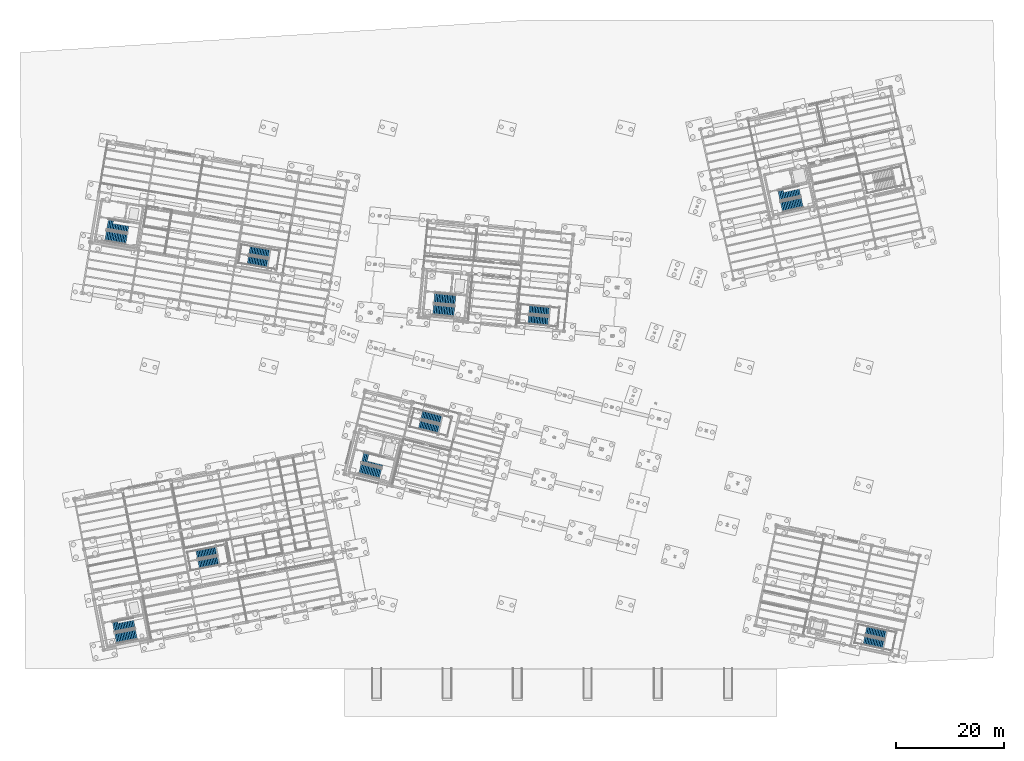
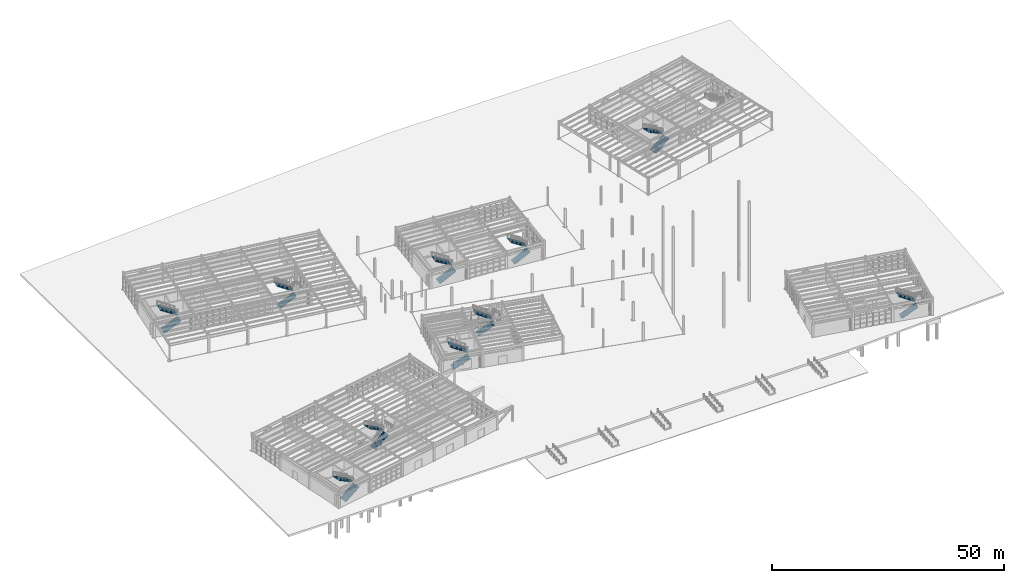
# One storey, part 90 of 108: 20 stair flights, 10 elements without a shape of their own.
"""IFC4 building model written with IfcOpenShell, lengths in metres."""

from ifc_helpers import new_model, si_unit, direction, frame, origin, place, context, subcontext, project, spatial, polyline, outline, extrude, material, type_object, element, aggregate, save


model = new_model("IFC4")

# Units and contexts
model_context = context("Model", 3, precision=1e-05, world=origin(), true_north=direction((0.0, 1.0)))
body_context = subcontext(model_context, "Body", "Model", "MODEL_VIEW")
ifc_project = project(units=[si_unit("LENGTHUNIT", "METRE"), si_unit("AREAUNIT", "SQUARE_METRE"), si_unit("VOLUMEUNIT", "CUBIC_METRE"), si_unit("PLANEANGLEUNIT", "RADIAN"), si_unit("MASSUNIT", "GRAM", prefix="KILO")], contexts=[model_context])

# Site, building, storey
site_placement = place(None, origin())
site = spatial("IfcSite", under=ifc_project, at=site_placement, CompositionType="ELEMENT")
building_placement = place(site_placement, origin())
building = spatial("IfcBuilding", under=site, at=building_placement, Name="Vireo Bluff Cable Station", CompositionType="ELEMENT")
storey_placement = place(building_placement, origin())
storey = spatial("IfcBuildingStorey", under=building, at=storey_placement, Name="L00", CompositionType="ELEMENT", Elevation=0.0)

# Stair, stair flights
ifc_material = material(Name="Concrete f'c 40 MPa", Category="concrete")
stair_type_1 = type_object("IfcStairType", Name="STAIR-HT-1680", PredefinedType="HALF_TURN_STAIR", material=ifc_material)
stair_1_placement = place(storey_placement, origin())
stair_1 = element("IfcStair", 1, at=stair_1_placement, inside=storey, type_object=stair_type_1, Name="L00 Feature Concourse Stair ST-06", PredefinedType="HALF_TURN_STAIR")
stair_flight_type_1 = type_object("IfcStairFlightType", Name="FLIGHT-1680", PredefinedType="STRAIGHT", material=ifc_material)
stair_flight_1_placement = place(storey_placement, frame((150.09765625, 7.25146484375, 0.0), z_axis=(0.0, 0.0, 1.0), x_axis=(0.978147600734, -0.207911690818, 0.0)))
stair_flight_1 = element("IfcStairFlight", 2, at=stair_flight_1_placement, type_object=stair_flight_type_1, Name="ST-06 flight 1", NumberOfRisers=14, NumberOfTreads=13, PredefinedType="STRAIGHT", RiserHeight=0.171428571, TreadLength=0.29, context=body_context, shape_type="SweptSolid", body=[
    extrude(outline(polyline([(0.0, 0.0), (0.0, 0.17138671875), (0.2900390625, 0.17138671875), (0.2900390625, 0.3427734375), (0.580078125, 0.3427734375), (0.580078125, 0.514404296875), (0.8701171875, 0.514404296875), (0.8701171875, 0.685791015625), (1.159912109375, 0.685791015625), (1.159912109375, 0.857177734375), (1.449951171875, 0.857177734375), (1.449951171875, 1.028564453125), (1.739990234375, 1.028564453125), (1.739990234375, 1.199951171875), (2.030029296875, 1.199951171875), (2.030029296875, 1.371337890625), (2.320068359375, 1.371337890625), (2.320068359375, 1.54296875), (2.610107421875, 1.54296875), (2.610107421875, 1.71435546875), (2.89990234375, 1.71435546875), (2.89990234375, 1.8857421875), (3.18994140625, 1.8857421875), (3.18994140625, 2.05712890625), (3.47998046875, 2.05712890625), (3.47998046875, 2.228515625), (3.77001953125, 2.228515625), (3.77001953125, 2.39990234375), (3.77001953125, 2.054443359375), (0.294677734375, 0.0), (0.0, 0.0)])), frame((0.0, 0.83984375, 0.0), z_axis=(0.0, -1.0, 0.0), x_axis=(1.0, 0.0, 0.0)), (0.0, 0.0, 1.0), 1.679931640625),
])
stair_flight_2_placement = place(storey_placement, frame((154.17626953125, 8.306396484375, 2.39990234375), z_axis=(0.0, 0.0, 1.0), x_axis=(-0.978147600734, 0.207911690818, 0.0)))
stair_flight_2 = element("IfcStairFlight", 3, at=stair_flight_2_placement, type_object=stair_flight_type_1, Name="ST-06 flight 2", NumberOfRisers=14, NumberOfTreads=13, PredefinedType="STRAIGHT", RiserHeight=0.171428571, TreadLength=0.29, context=body_context, shape_type="SweptSolid", body=[
    extrude(outline(polyline([(0.0, 0.0), (0.0, 0.17138671875), (0.2900390625, 0.17138671875), (0.2900390625, 0.3427734375), (0.580078125, 0.3427734375), (0.580078125, 0.514404296875), (0.8701171875, 0.514404296875), (0.8701171875, 0.685791015625), (1.159912109375, 0.685791015625), (1.159912109375, 0.857177734375), (1.449951171875, 0.857177734375), (1.449951171875, 1.028564453125), (1.739990234375, 1.028564453125), (1.739990234375, 1.199951171875), (2.030029296875, 1.199951171875), (2.030029296875, 1.371337890625), (2.320068359375, 1.371337890625), (2.320068359375, 1.54296875), (2.610107421875, 1.54296875), (2.610107421875, 1.71435546875), (2.89990234375, 1.71435546875), (2.89990234375, 1.8857421875), (3.18994140625, 1.8857421875), (3.18994140625, 2.05712890625), (3.47998046875, 2.05712890625), (3.47998046875, 2.228515625), (3.77001953125, 2.228515625), (3.77001953125, 2.39990234375), (3.77001953125, 2.054443359375), (0.294677734375, 0.0), (0.0, 0.0)])), frame((0.0, 0.83984375, 0.0), z_axis=(0.0, -1.0, 0.0), x_axis=(1.0, 0.0, 0.0)), (0.0, 0.0, 1.0), 1.679931640625),
])
aggregate(stair_1, [stair_flight_1, stair_flight_2])

stair_2_placement = place(storey_placement, origin())
stair_2 = element("IfcStair", 4, at=stair_2_placement, inside=storey, type_object=stair_type_1, Name="L00 Feature Concourse Stair ST-07", PredefinedType="HALF_TURN_STAIR")
stair_flight_3_placement = place(storey_placement, frame((27.0419921875, 21.277099609375, 0.0), z_axis=(0.0, 0.0, 1.0), x_axis=(0.981627183448, 0.190808995377, 0.0)))
stair_flight_3 = element("IfcStairFlight", 5, at=stair_flight_3_placement, type_object=stair_flight_type_1, Name="ST-07 flight 1", NumberOfRisers=14, NumberOfTreads=13, PredefinedType="STRAIGHT", RiserHeight=0.171428571, TreadLength=0.29, context=body_context, shape_type="SweptSolid", body=[
    extrude(outline(polyline([(0.0, 0.0), (0.0, 0.17138671875), (0.2900390625, 0.17138671875), (0.2900390625, 0.3427734375), (0.580078125, 0.3427734375), (0.580078125, 0.514404296875), (0.8701171875, 0.514404296875), (0.8701171875, 0.685791015625), (1.159912109375, 0.685791015625), (1.159912109375, 0.857177734375), (1.449951171875, 0.857177734375), (1.449951171875, 1.028564453125), (1.739990234375, 1.028564453125), (1.739990234375, 1.199951171875), (2.030029296875, 1.199951171875), (2.030029296875, 1.371337890625), (2.320068359375, 1.371337890625), (2.320068359375, 1.54296875), (2.610107421875, 1.54296875), (2.610107421875, 1.71435546875), (2.89990234375, 1.71435546875), (2.89990234375, 1.8857421875), (3.18994140625, 1.8857421875), (3.18994140625, 2.05712890625), (3.47998046875, 2.05712890625), (3.47998046875, 2.228515625), (3.77001953125, 2.228515625), (3.77001953125, 2.39990234375), (3.77001953125, 2.054443359375), (0.294677734375, 0.0), (0.0, 0.0)])), frame((0.0, 0.83984375, 0.0), z_axis=(0.0, -1.0, 0.0), x_axis=(1.0, 0.0, 0.0)), (0.0, 0.0, 1.0), 1.679931640625),
])
stair_flight_4_placement = place(storey_placement, frame((30.3837890625, 23.841796875, 2.39990234375), z_axis=(0.0, 0.0, 1.0), x_axis=(-0.981627183448, -0.190808995377, 0.0)))
stair_flight_4 = element("IfcStairFlight", 6, at=stair_flight_4_placement, type_object=stair_flight_type_1, Name="ST-07 flight 2", NumberOfRisers=14, NumberOfTreads=13, PredefinedType="STRAIGHT", RiserHeight=0.171428571, TreadLength=0.29, context=body_context, shape_type="SweptSolid", body=[
    extrude(outline(polyline([(0.0, 0.0), (0.0, 0.17138671875), (0.2900390625, 0.17138671875), (0.2900390625, 0.3427734375), (0.580078125, 0.3427734375), (0.580078125, 0.514404296875), (0.8701171875, 0.514404296875), (0.8701171875, 0.685791015625), (1.159912109375, 0.685791015625), (1.159912109375, 0.857177734375), (1.449951171875, 0.857177734375), (1.449951171875, 1.028564453125), (1.739990234375, 1.028564453125), (1.739990234375, 1.199951171875), (2.030029296875, 1.199951171875), (2.030029296875, 1.371337890625), (2.320068359375, 1.371337890625), (2.320068359375, 1.54296875), (2.610107421875, 1.54296875), (2.610107421875, 1.71435546875), (2.89990234375, 1.71435546875), (2.89990234375, 1.8857421875), (3.18994140625, 1.8857421875), (3.18994140625, 2.05712890625), (3.47998046875, 2.05712890625), (3.47998046875, 2.228515625), (3.77001953125, 2.228515625), (3.77001953125, 2.39990234375), (3.77001953125, 2.054443359375), (0.294677734375, 0.0), (0.0, 0.0)])), frame((0.0, 0.83984375, 0.0), z_axis=(0.0, -1.0, 0.0), x_axis=(1.0, 0.0, 0.0)), (0.0, 0.0, 1.0), 1.679931640625),
])
aggregate(stair_2, [stair_flight_3, stair_flight_4])

stair_3_placement = place(storey_placement, origin())
stair_3 = element("IfcStair", 7, at=stair_3_placement, inside=storey, type_object=stair_type_1, Name="L00 Feature Concourse Stair ST-08", PredefinedType="HALF_TURN_STAIR")
stair_flight_5_placement = place(storey_placement, frame((36.1513671875, 77.564208984375, 0.0), z_axis=(0.0, 0.0, 1.0), x_axis=(0.986285601537, -0.165047605861, 0.0)))
stair_flight_5 = element("IfcStairFlight", 8, at=stair_flight_5_placement, type_object=stair_flight_type_1, Name="ST-08 flight 1", NumberOfRisers=14, NumberOfTreads=13, PredefinedType="STRAIGHT", RiserHeight=0.171428571, TreadLength=0.29, context=body_context, shape_type="SweptSolid", body=[
    extrude(outline(polyline([(0.0, 0.0), (0.0, 0.17138671875), (0.2900390625, 0.17138671875), (0.2900390625, 0.3427734375), (0.580078125, 0.3427734375), (0.580078125, 0.514404296875), (0.8701171875, 0.514404296875), (0.8701171875, 0.685791015625), (1.159912109375, 0.685791015625), (1.159912109375, 0.857177734375), (1.449951171875, 0.857177734375), (1.449951171875, 1.028564453125), (1.739990234375, 1.028564453125), (1.739990234375, 1.199951171875), (2.030029296875, 1.199951171875), (2.030029296875, 1.371337890625), (2.320068359375, 1.371337890625), (2.320068359375, 1.54296875), (2.610107421875, 1.54296875), (2.610107421875, 1.71435546875), (2.89990234375, 1.71435546875), (2.89990234375, 1.8857421875), (3.18994140625, 1.8857421875), (3.18994140625, 2.05712890625), (3.47998046875, 2.05712890625), (3.47998046875, 2.228515625), (3.77001953125, 2.228515625), (3.77001953125, 2.39990234375), (3.77001953125, 2.054443359375), (0.294677734375, 0.0), (0.0, 0.0)])), frame((0.0, 0.83984375, 0.0), z_axis=(0.0, -1.0, 0.0), x_axis=(1.0, 0.0, 0.0)), (0.0, 0.0, 1.0), 1.679931640625),
])
stair_flight_6_placement = place(storey_placement, frame((40.179931640625, 78.796142578125, 2.39990234375), z_axis=(0.0, 0.0, 1.0), x_axis=(-0.986285601537, 0.165047605861, 0.0)))
stair_flight_6 = element("IfcStairFlight", 9, at=stair_flight_6_placement, type_object=stair_flight_type_1, Name="ST-08 flight 2", NumberOfRisers=14, NumberOfTreads=13, PredefinedType="STRAIGHT", RiserHeight=0.171428571, TreadLength=0.29, context=body_context, shape_type="SweptSolid", body=[
    extrude(outline(polyline([(0.0, 0.0), (0.0, 0.17138671875), (0.2900390625, 0.17138671875), (0.2900390625, 0.3427734375), (0.580078125, 0.3427734375), (0.580078125, 0.514404296875), (0.8701171875, 0.514404296875), (0.8701171875, 0.685791015625), (1.159912109375, 0.685791015625), (1.159912109375, 0.857177734375), (1.449951171875, 0.857177734375), (1.449951171875, 1.028564453125), (1.739990234375, 1.028564453125), (1.739990234375, 1.199951171875), (2.030029296875, 1.199951171875), (2.030029296875, 1.371337890625), (2.320068359375, 1.371337890625), (2.320068359375, 1.54296875), (2.610107421875, 1.54296875), (2.610107421875, 1.71435546875), (2.89990234375, 1.71435546875), (2.89990234375, 1.8857421875), (3.18994140625, 1.8857421875), (3.18994140625, 2.05712890625), (3.47998046875, 2.05712890625), (3.47998046875, 2.228515625), (3.77001953125, 2.228515625), (3.77001953125, 2.39990234375), (3.77001953125, 2.054443359375), (0.294677734375, 0.0), (0.0, 0.0)])), frame((0.0, 0.83984375, 0.0), z_axis=(0.0, -1.0, 0.0), x_axis=(1.0, 0.0, 0.0)), (0.0, 0.0, 1.0), 1.679931640625),
])
aggregate(stair_3, [stair_flight_5, stair_flight_6])

stair_4_placement = place(storey_placement, origin())
stair_4 = element("IfcStair", 10, at=stair_4_placement, inside=storey, type_object=stair_type_1, Name="L00 Feature Concourse Stair ST-10", PredefinedType="HALF_TURN_STAIR")
stair_flight_7_placement = place(storey_placement, frame((67.857666015625, 47.15966796875, 0.0), z_axis=(0.0, 0.0, 1.0), x_axis=(0.970295726276, -0.2419218956, 0.0)))
stair_flight_7 = element("IfcStairFlight", 11, at=stair_flight_7_placement, type_object=stair_flight_type_1, Name="ST-10 flight 1", NumberOfRisers=14, NumberOfTreads=13, PredefinedType="STRAIGHT", RiserHeight=0.171428571, TreadLength=0.29, context=body_context, shape_type="SweptSolid", body=[
    extrude(outline(polyline([(0.0, 0.0), (0.0, 0.17138671875), (0.2900390625, 0.17138671875), (0.2900390625, 0.3427734375), (0.580078125, 0.3427734375), (0.580078125, 0.514404296875), (0.8701171875, 0.514404296875), (0.8701171875, 0.685791015625), (1.159912109375, 0.685791015625), (1.159912109375, 0.857177734375), (1.449951171875, 0.857177734375), (1.449951171875, 1.028564453125), (1.739990234375, 1.028564453125), (1.739990234375, 1.199951171875), (2.030029296875, 1.199951171875), (2.030029296875, 1.371337890625), (2.320068359375, 1.371337890625), (2.320068359375, 1.54296875), (2.610107421875, 1.54296875), (2.610107421875, 1.71435546875), (2.89990234375, 1.71435546875), (2.89990234375, 1.8857421875), (3.18994140625, 1.8857421875), (3.18994140625, 2.05712890625), (3.47998046875, 2.05712890625), (3.47998046875, 2.228515625), (3.77001953125, 2.228515625), (3.77001953125, 2.39990234375), (3.77001953125, 2.054443359375), (0.294677734375, 0.0), (0.0, 0.0)])), frame((0.0, 0.83984375, 0.0), z_axis=(0.0, -1.0, 0.0), x_axis=(1.0, 0.0, 0.0)), (0.0, 0.0, 1.0), 1.679931640625),
])
stair_flight_8_placement = place(storey_placement, frame((71.970458984375, 48.07177734375, 2.39990234375), z_axis=(0.0, 0.0, 1.0), x_axis=(-0.970295726276, 0.2419218956, 0.0)))
stair_flight_8 = element("IfcStairFlight", 12, at=stair_flight_8_placement, type_object=stair_flight_type_1, Name="ST-10 flight 2", NumberOfRisers=14, NumberOfTreads=13, PredefinedType="STRAIGHT", RiserHeight=0.171428571, TreadLength=0.29, context=body_context, shape_type="SweptSolid", body=[
    extrude(outline(polyline([(0.0, 0.0), (0.0, 0.17138671875), (0.2900390625, 0.17138671875), (0.2900390625, 0.3427734375), (0.580078125, 0.3427734375), (0.580078125, 0.514404296875), (0.8701171875, 0.514404296875), (0.8701171875, 0.685791015625), (1.159912109375, 0.685791015625), (1.159912109375, 0.857177734375), (1.449951171875, 0.857177734375), (1.449951171875, 1.028564453125), (1.739990234375, 1.028564453125), (1.739990234375, 1.199951171875), (2.030029296875, 1.199951171875), (2.030029296875, 1.371337890625), (2.320068359375, 1.371337890625), (2.320068359375, 1.54296875), (2.610107421875, 1.54296875), (2.610107421875, 1.71435546875), (2.89990234375, 1.71435546875), (2.89990234375, 1.8857421875), (3.18994140625, 1.8857421875), (3.18994140625, 2.05712890625), (3.47998046875, 2.05712890625), (3.47998046875, 2.228515625), (3.77001953125, 2.228515625), (3.77001953125, 2.39990234375), (3.77001953125, 2.054443359375), (0.294677734375, 0.0), (0.0, 0.0)])), frame((0.0, 0.83984375, 0.0), z_axis=(0.0, -1.0, 0.0), x_axis=(1.0, 0.0, 0.0)), (0.0, 0.0, 1.0), 1.679931640625),
])
aggregate(stair_4, [stair_flight_7, stair_flight_8])

stair_5_placement = place(storey_placement, origin())
stair_5 = element("IfcStair", 13, at=stair_5_placement, inside=storey, type_object=stair_type_1, Name="L00 Feature Concourse Stair ST-11", PredefinedType="HALF_TURN_STAIR")
stair_flight_9_placement = place(storey_placement, frame((88.0224609375, 66.597900390625, 0.0), z_axis=(0.0, 0.0, 1.0), x_axis=(0.995396198367, -0.09584575252, 0.0)))
stair_flight_9 = element("IfcStairFlight", 14, at=stair_flight_9_placement, type_object=stair_flight_type_1, Name="ST-11 flight 1", NumberOfRisers=14, NumberOfTreads=13, PredefinedType="STRAIGHT", RiserHeight=0.171428571, TreadLength=0.29, context=body_context, shape_type="SweptSolid", body=[
    extrude(outline(polyline([(0.0, 0.0), (0.0, 0.17138671875), (0.2900390625, 0.17138671875), (0.2900390625, 0.3427734375), (0.580078125, 0.3427734375), (0.580078125, 0.514404296875), (0.8701171875, 0.514404296875), (0.8701171875, 0.685791015625), (1.159912109375, 0.685791015625), (1.159912109375, 0.857177734375), (1.449951171875, 0.857177734375), (1.449951171875, 1.028564453125), (1.739990234375, 1.028564453125), (1.739990234375, 1.199951171875), (2.030029296875, 1.199951171875), (2.030029296875, 1.371337890625), (2.320068359375, 1.371337890625), (2.320068359375, 1.54296875), (2.610107421875, 1.54296875), (2.610107421875, 1.71435546875), (2.89990234375, 1.71435546875), (2.89990234375, 1.8857421875), (3.18994140625, 1.8857421875), (3.18994140625, 2.05712890625), (3.47998046875, 2.05712890625), (3.47998046875, 2.228515625), (3.77001953125, 2.228515625), (3.77001953125, 2.39990234375), (3.77001953125, 2.054443359375), (0.294677734375, 0.0), (0.0, 0.0)])), frame((0.0, 0.83984375, 0.0), z_axis=(0.0, -1.0, 0.0), x_axis=(1.0, 0.0, 0.0)), (0.0, 0.0, 1.0), 1.679931640625),
])
stair_flight_10_placement = place(storey_placement, frame((91.955322265625, 68.10791015625, 2.39990234375), z_axis=(0.0, 0.0, 1.0), x_axis=(-0.995396198367, 0.09584575252, 0.0)))
stair_flight_10 = element("IfcStairFlight", 15, at=stair_flight_10_placement, type_object=stair_flight_type_1, Name="ST-11 flight 2", NumberOfRisers=14, NumberOfTreads=13, PredefinedType="STRAIGHT", RiserHeight=0.171428571, TreadLength=0.29, context=body_context, shape_type="SweptSolid", body=[
    extrude(outline(polyline([(0.0, 0.0), (0.0, 0.17138671875), (0.2900390625, 0.17138671875), (0.2900390625, 0.3427734375), (0.580078125, 0.3427734375), (0.580078125, 0.514404296875), (0.8701171875, 0.514404296875), (0.8701171875, 0.685791015625), (1.159912109375, 0.685791015625), (1.159912109375, 0.857177734375), (1.449951171875, 0.857177734375), (1.449951171875, 1.028564453125), (1.739990234375, 1.028564453125), (1.739990234375, 1.199951171875), (2.030029296875, 1.199951171875), (2.030029296875, 1.371337890625), (2.320068359375, 1.371337890625), (2.320068359375, 1.54296875), (2.610107421875, 1.54296875), (2.610107421875, 1.71435546875), (2.89990234375, 1.71435546875), (2.89990234375, 1.8857421875), (3.18994140625, 1.8857421875), (3.18994140625, 2.05712890625), (3.47998046875, 2.05712890625), (3.47998046875, 2.228515625), (3.77001953125, 2.228515625), (3.77001953125, 2.39990234375), (3.77001953125, 2.054443359375), (0.294677734375, 0.0), (0.0, 0.0)])), frame((0.0, 0.83984375, 0.0), z_axis=(0.0, -1.0, 0.0), x_axis=(1.0, 0.0, 0.0)), (0.0, 0.0, 1.0), 1.679931640625),
])
aggregate(stair_5, [stair_flight_9, stair_flight_10])

stair_type_2 = type_object("IfcStairType", Name="STAIR-HT-1950", PredefinedType="HALF_TURN_STAIR", material=ifc_material)
stair_6_placement = place(storey_placement, origin())
stair_6 = element("IfcStair", 16, at=stair_6_placement, inside=storey, type_object=stair_type_2, Name="L00 CORE-1 Exit Stair ST-01", PredefinedType="HALF_TURN_STAIR")
stair_flight_type_2 = type_object("IfcStairFlightType", Name="FLIGHT-1950", PredefinedType="STRAIGHT", material=ifc_material)
stair_flight_11_placement = place(storey_placement, frame((70.43701171875, 68.4267578125, 0.0), z_axis=(0.0, 0.0, 1.0), x_axis=(0.995396198367, -0.09584575252, 0.0)))
stair_flight_11 = element("IfcStairFlight", 17, at=stair_flight_11_placement, type_object=stair_flight_type_2, Name="ST-01 flight 1", NumberOfRisers=14, NumberOfTreads=13, PredefinedType="STRAIGHT", RiserHeight=0.171428571, TreadLength=0.3, context=body_context, shape_type="SweptSolid", body=[
    extrude(outline(polyline([(0.0, 0.0), (0.0, 0.17138671875), (0.300048828125, 0.17138671875), (0.300048828125, 0.3427734375), (0.60009765625, 0.3427734375), (0.60009765625, 0.514404296875), (0.89990234375, 0.514404296875), (0.89990234375, 0.685791015625), (1.199951171875, 0.685791015625), (1.199951171875, 0.857177734375), (1.5, 0.857177734375), (1.5, 1.028564453125), (1.800048828125, 1.028564453125), (1.800048828125, 1.199951171875), (2.10009765625, 1.199951171875), (2.10009765625, 1.371337890625), (2.39990234375, 1.371337890625), (2.39990234375, 1.54296875), (2.699951171875, 1.54296875), (2.699951171875, 1.71435546875), (3.0, 1.71435546875), (3.0, 1.8857421875), (3.300048828125, 1.8857421875), (3.300048828125, 2.05712890625), (3.60009765625, 2.05712890625), (3.60009765625, 2.228515625), (3.89990234375, 2.228515625), (3.89990234375, 2.39990234375), (3.89990234375, 2.055908203125), (0.30224609375, 0.0), (0.0, 0.0)])), frame((0.0, 0.97509765625, 0.0), z_axis=(0.0, -1.0, 0.0), x_axis=(1.0, 0.0, 0.0)), (0.0, 0.0, 1.0), 1.949951171875),
])
stair_flight_12_placement = place(storey_placement, frame((74.52490234375, 70.193115234375, 2.39990234375), z_axis=(0.0, 0.0, 1.0), x_axis=(-0.995396198367, 0.09584575252, 0.0)))
stair_flight_12 = element("IfcStairFlight", 18, at=stair_flight_12_placement, type_object=stair_flight_type_2, Name="ST-01 flight 2", NumberOfRisers=14, NumberOfTreads=13, PredefinedType="STRAIGHT", RiserHeight=0.171428571, TreadLength=0.3, context=body_context, shape_type="SweptSolid", body=[
    extrude(outline(polyline([(0.0, 0.0), (0.0, 0.17138671875), (0.300048828125, 0.17138671875), (0.300048828125, 0.3427734375), (0.60009765625, 0.3427734375), (0.60009765625, 0.514404296875), (0.89990234375, 0.514404296875), (0.89990234375, 0.685791015625), (1.199951171875, 0.685791015625), (1.199951171875, 0.857177734375), (1.5, 0.857177734375), (1.5, 1.028564453125), (1.800048828125, 1.028564453125), (1.800048828125, 1.199951171875), (2.10009765625, 1.199951171875), (2.10009765625, 1.371337890625), (2.39990234375, 1.371337890625), (2.39990234375, 1.54296875), (2.699951171875, 1.54296875), (2.699951171875, 1.71435546875), (3.0, 1.71435546875), (3.0, 1.8857421875), (3.300048828125, 1.8857421875), (3.300048828125, 2.05712890625), (3.60009765625, 2.05712890625), (3.60009765625, 2.228515625), (3.89990234375, 2.228515625), (3.89990234375, 2.39990234375), (3.89990234375, 2.055908203125), (0.30224609375, 0.0), (0.0, 0.0)])), frame((0.0, 0.97509765625, 0.0), z_axis=(0.0, -1.0, 0.0), x_axis=(1.0, 0.0, 0.0)), (0.0, 0.0, 1.0), 1.949951171875),
])
aggregate(stair_6, [stair_flight_11, stair_flight_12])

stair_7_placement = place(storey_placement, origin())
stair_7 = element("IfcStair", 19, at=stair_7_placement, inside=storey, type_object=stair_type_2, Name="L00 CORE-2 Exit Stair ST-02", PredefinedType="HALF_TURN_STAIR")
stair_flight_13_placement = place(storey_placement, frame((56.87939453125, 39.00830078125, 0.0), z_axis=(0.0, 0.0, 1.0), x_axis=(0.970295726276, -0.2419218956, 0.0)))
stair_flight_13 = element("IfcStairFlight", 20, at=stair_flight_13_placement, type_object=stair_flight_type_2, Name="ST-02 flight 1", NumberOfRisers=14, NumberOfTreads=13, PredefinedType="STRAIGHT", RiserHeight=0.171428571, TreadLength=0.3, context=body_context, shape_type="SweptSolid", body=[
    extrude(outline(polyline([(0.0, 0.0), (0.0, 0.17138671875), (0.300048828125, 0.17138671875), (0.300048828125, 0.3427734375), (0.60009765625, 0.3427734375), (0.60009765625, 0.514404296875), (0.89990234375, 0.514404296875), (0.89990234375, 0.685791015625), (1.199951171875, 0.685791015625), (1.199951171875, 0.857177734375), (1.5, 0.857177734375), (1.5, 1.028564453125), (1.800048828125, 1.028564453125), (1.800048828125, 1.199951171875), (2.10009765625, 1.199951171875), (2.10009765625, 1.371337890625), (2.39990234375, 1.371337890625), (2.39990234375, 1.54296875), (2.699951171875, 1.54296875), (2.699951171875, 1.71435546875), (3.0, 1.71435546875), (3.0, 1.8857421875), (3.300048828125, 1.8857421875), (3.300048828125, 2.05712890625), (3.60009765625, 2.05712890625), (3.60009765625, 2.228515625), (3.89990234375, 2.228515625), (3.89990234375, 2.39990234375), (3.89990234375, 2.055908203125), (0.30224609375, 0.0), (0.0, 0.0)])), frame((0.0, 0.97509765625, 0.0), z_axis=(0.0, -1.0, 0.0), x_axis=(1.0, 0.0, 0.0)), (0.0, 0.0, 1.0), 1.949951171875),
])
stair_flight_14_placement = place(storey_placement, frame((61.183837890625, 40.15087890625, 2.39990234375), z_axis=(0.0, 0.0, 1.0), x_axis=(-0.970295726276, 0.2419218956, 0.0)))
stair_flight_14 = element("IfcStairFlight", 21, at=stair_flight_14_placement, type_object=stair_flight_type_2, Name="ST-02 flight 2", NumberOfRisers=14, NumberOfTreads=13, PredefinedType="STRAIGHT", RiserHeight=0.171428571, TreadLength=0.3, context=body_context, shape_type="SweptSolid", body=[
    extrude(outline(polyline([(0.0, 0.0), (0.0, 0.17138671875), (0.300048828125, 0.17138671875), (0.300048828125, 0.3427734375), (0.60009765625, 0.3427734375), (0.60009765625, 0.514404296875), (0.89990234375, 0.514404296875), (0.89990234375, 0.685791015625), (1.199951171875, 0.685791015625), (1.199951171875, 0.857177734375), (1.5, 0.857177734375), (1.5, 1.028564453125), (1.800048828125, 1.028564453125), (1.800048828125, 1.199951171875), (2.10009765625, 1.199951171875), (2.10009765625, 1.371337890625), (2.39990234375, 1.371337890625), (2.39990234375, 1.54296875), (2.699951171875, 1.54296875), (2.699951171875, 1.71435546875), (3.0, 1.71435546875), (3.0, 1.8857421875), (3.300048828125, 1.8857421875), (3.300048828125, 2.05712890625), (3.60009765625, 2.05712890625), (3.60009765625, 2.228515625), (3.89990234375, 2.228515625), (3.89990234375, 2.39990234375), (3.89990234375, 2.055908203125), (0.30224609375, 0.0), (0.0, 0.0)])), frame((0.0, 0.97509765625, 0.0), z_axis=(0.0, -1.0, 0.0), x_axis=(1.0, 0.0, 0.0)), (0.0, 0.0, 1.0), 1.949951171875),
])
aggregate(stair_7, [stair_flight_13, stair_flight_14])

stair_8_placement = place(storey_placement, origin())
stair_8 = element("IfcStair", 22, at=stair_8_placement, inside=storey, type_object=stair_type_2, Name="L00 CORE-3 Exit Stair ST-03", PredefinedType="HALF_TURN_STAIR")
stair_flight_15_placement = place(storey_placement, frame((9.859375, 82.100830078125, 0.0), z_axis=(0.0, 0.0, 1.0), x_axis=(0.986285601537, -0.165047605861, 0.0)))
stair_flight_15 = element("IfcStairFlight", 23, at=stair_flight_15_placement, type_object=stair_flight_type_2, Name="ST-03 flight 1", NumberOfRisers=14, NumberOfTreads=13, PredefinedType="STRAIGHT", RiserHeight=0.171428571, TreadLength=0.3, context=body_context, shape_type="SweptSolid", body=[
    extrude(outline(polyline([(0.0, 0.0), (0.0, 0.17138671875), (0.300048828125, 0.17138671875), (0.300048828125, 0.3427734375), (0.60009765625, 0.3427734375), (0.60009765625, 0.514404296875), (0.89990234375, 0.514404296875), (0.89990234375, 0.685791015625), (1.199951171875, 0.685791015625), (1.199951171875, 0.857177734375), (1.5, 0.857177734375), (1.5, 1.028564453125), (1.800048828125, 1.028564453125), (1.800048828125, 1.199951171875), (2.10009765625, 1.199951171875), (2.10009765625, 1.371337890625), (2.39990234375, 1.371337890625), (2.39990234375, 1.54296875), (2.699951171875, 1.54296875), (2.699951171875, 1.71435546875), (3.0, 1.71435546875), (3.0, 1.8857421875), (3.300048828125, 1.8857421875), (3.300048828125, 2.05712890625), (3.60009765625, 2.05712890625), (3.60009765625, 2.228515625), (3.89990234375, 2.228515625), (3.89990234375, 2.39990234375), (3.89990234375, 2.055908203125), (0.30224609375, 0.0), (0.0, 0.0)])), frame((0.0, 0.97509765625, 0.0), z_axis=(0.0, -1.0, 0.0), x_axis=(1.0, 0.0, 0.0)), (0.0, 0.0, 1.0), 1.949951171875),
])
stair_flight_16_placement = place(storey_placement, frame((14.060791015625, 83.57763671875, 2.39990234375), z_axis=(0.0, 0.0, 1.0), x_axis=(-0.986285601537, 0.165047605861, 0.0)))
stair_flight_16 = element("IfcStairFlight", 24, at=stair_flight_16_placement, type_object=stair_flight_type_2, Name="ST-03 flight 2", NumberOfRisers=14, NumberOfTreads=13, PredefinedType="STRAIGHT", RiserHeight=0.171428571, TreadLength=0.3, context=body_context, shape_type="SweptSolid", body=[
    extrude(outline(polyline([(0.0, 0.0), (0.0, 0.17138671875), (0.300048828125, 0.17138671875), (0.300048828125, 0.3427734375), (0.60009765625, 0.3427734375), (0.60009765625, 0.514404296875), (0.89990234375, 0.514404296875), (0.89990234375, 0.685791015625), (1.199951171875, 0.685791015625), (1.199951171875, 0.857177734375), (1.5, 0.857177734375), (1.5, 1.028564453125), (1.800048828125, 1.028564453125), (1.800048828125, 1.199951171875), (2.10009765625, 1.199951171875), (2.10009765625, 1.371337890625), (2.39990234375, 1.371337890625), (2.39990234375, 1.54296875), (2.699951171875, 1.54296875), (2.699951171875, 1.71435546875), (3.0, 1.71435546875), (3.0, 1.8857421875), (3.300048828125, 1.8857421875), (3.300048828125, 2.05712890625), (3.60009765625, 2.05712890625), (3.60009765625, 2.228515625), (3.89990234375, 2.228515625), (3.89990234375, 2.39990234375), (3.89990234375, 2.055908203125), (0.30224609375, 0.0), (0.0, 0.0)])), frame((0.0, 0.97509765625, 0.0), z_axis=(0.0, -1.0, 0.0), x_axis=(1.0, 0.0, 0.0)), (0.0, 0.0, 1.0), 1.949951171875),
])
aggregate(stair_8, [stair_flight_15, stair_flight_16])

stair_9_placement = place(storey_placement, origin())
stair_9 = element("IfcStair", 25, at=stair_9_placement, inside=storey, type_object=stair_type_2, Name="L00 CORE-4 Exit Stair ST-04", PredefinedType="HALF_TURN_STAIR")
stair_flight_17_placement = place(storey_placement, frame((134.857421875, 87.409912109375, 0.0), z_axis=(0.0, 0.0, 1.0), x_axis=(0.97629600712, 0.216439613938, 0.0)))
stair_flight_17 = element("IfcStairFlight", 26, at=stair_flight_17_placement, type_object=stair_flight_type_2, Name="ST-04 flight 1", NumberOfRisers=14, NumberOfTreads=13, PredefinedType="STRAIGHT", RiserHeight=0.171428571, TreadLength=0.3, context=body_context, shape_type="SweptSolid", body=[
    extrude(outline(polyline([(0.0, 0.0), (0.0, 0.17138671875), (0.300048828125, 0.17138671875), (0.300048828125, 0.3427734375), (0.60009765625, 0.3427734375), (0.60009765625, 0.514404296875), (0.89990234375, 0.514404296875), (0.89990234375, 0.685791015625), (1.199951171875, 0.685791015625), (1.199951171875, 0.857177734375), (1.5, 0.857177734375), (1.5, 1.028564453125), (1.800048828125, 1.028564453125), (1.800048828125, 1.199951171875), (2.10009765625, 1.199951171875), (2.10009765625, 1.371337890625), (2.39990234375, 1.371337890625), (2.39990234375, 1.54296875), (2.699951171875, 1.54296875), (2.699951171875, 1.71435546875), (3.0, 1.71435546875), (3.0, 1.8857421875), (3.300048828125, 1.8857421875), (3.300048828125, 2.05712890625), (3.60009765625, 2.05712890625), (3.60009765625, 2.228515625), (3.89990234375, 2.228515625), (3.89990234375, 2.39990234375), (3.89990234375, 2.055908203125), (0.30224609375, 0.0), (0.0, 0.0)])), frame((0.0, 0.97509765625, 0.0), z_axis=(0.0, -1.0, 0.0), x_axis=(1.0, 0.0, 0.0)), (0.0, 0.0, 1.0), 1.949951171875),
])
stair_flight_18_placement = place(storey_placement, frame((138.19970703125, 90.35302734375, 2.39990234375), z_axis=(0.0, 0.0, 1.0), x_axis=(-0.97629600712, -0.216439613938, 0.0)))
stair_flight_18 = element("IfcStairFlight", 27, at=stair_flight_18_placement, type_object=stair_flight_type_2, Name="ST-04 flight 2", NumberOfRisers=14, NumberOfTreads=13, PredefinedType="STRAIGHT", RiserHeight=0.171428571, TreadLength=0.3, context=body_context, shape_type="SweptSolid", body=[
    extrude(outline(polyline([(0.0, 0.0), (0.0, 0.17138671875), (0.300048828125, 0.17138671875), (0.300048828125, 0.3427734375), (0.60009765625, 0.3427734375), (0.60009765625, 0.514404296875), (0.89990234375, 0.514404296875), (0.89990234375, 0.685791015625), (1.199951171875, 0.685791015625), (1.199951171875, 0.857177734375), (1.5, 0.857177734375), (1.5, 1.028564453125), (1.800048828125, 1.028564453125), (1.800048828125, 1.199951171875), (2.10009765625, 1.199951171875), (2.10009765625, 1.371337890625), (2.39990234375, 1.371337890625), (2.39990234375, 1.54296875), (2.699951171875, 1.54296875), (2.699951171875, 1.71435546875), (3.0, 1.71435546875), (3.0, 1.8857421875), (3.300048828125, 1.8857421875), (3.300048828125, 2.05712890625), (3.60009765625, 2.05712890625), (3.60009765625, 2.228515625), (3.89990234375, 2.228515625), (3.89990234375, 2.39990234375), (3.89990234375, 2.055908203125), (0.30224609375, 0.0), (0.0, 0.0)])), frame((0.0, 0.97509765625, 0.0), z_axis=(0.0, -1.0, 0.0), x_axis=(1.0, 0.0, 0.0)), (0.0, 0.0, 1.0), 1.949951171875),
])
aggregate(stair_9, [stair_flight_17, stair_flight_18])

stair_10_placement = place(storey_placement, origin())
stair_10 = element("IfcStair", 28, at=stair_10_placement, inside=storey, type_object=stair_type_2, Name="L00 CORE-5 Exit Stair ST-05", PredefinedType="HALF_TURN_STAIR")
stair_flight_19_placement = place(storey_placement, frame((11.68359375, 7.630859375, 0.0), z_axis=(0.0, 0.0, 1.0), x_axis=(0.981627183448, 0.190808995377, 0.0)))
stair_flight_19 = element("IfcStairFlight", 29, at=stair_flight_19_placement, type_object=stair_flight_type_2, Name="ST-05 flight 1", NumberOfRisers=14, NumberOfTreads=13, PredefinedType="STRAIGHT", RiserHeight=0.171428571, TreadLength=0.3, context=body_context, shape_type="SweptSolid", body=[
    extrude(outline(polyline([(0.0, 0.0), (0.0, 0.17138671875), (0.300048828125, 0.17138671875), (0.300048828125, 0.3427734375), (0.60009765625, 0.3427734375), (0.60009765625, 0.514404296875), (0.89990234375, 0.514404296875), (0.89990234375, 0.685791015625), (1.199951171875, 0.685791015625), (1.199951171875, 0.857177734375), (1.5, 0.857177734375), (1.5, 1.028564453125), (1.800048828125, 1.028564453125), (1.800048828125, 1.199951171875), (2.10009765625, 1.199951171875), (2.10009765625, 1.371337890625), (2.39990234375, 1.371337890625), (2.39990234375, 1.54296875), (2.699951171875, 1.54296875), (2.699951171875, 1.71435546875), (3.0, 1.71435546875), (3.0, 1.8857421875), (3.300048828125, 1.8857421875), (3.300048828125, 2.05712890625), (3.60009765625, 2.05712890625), (3.60009765625, 2.228515625), (3.89990234375, 2.228515625), (3.89990234375, 2.39990234375), (3.89990234375, 2.055908203125), (0.30224609375, 0.0), (0.0, 0.0)])), frame((0.0, 0.97509765625, 0.0), z_axis=(0.0, -1.0, 0.0), x_axis=(1.0, 0.0, 0.0)), (0.0, 0.0, 1.0), 1.949951171875),
])
stair_flight_20_placement = place(storey_placement, frame((15.1015625, 10.4853515625, 2.39990234375), z_axis=(0.0, 0.0, 1.0), x_axis=(-0.981627183448, -0.190808995377, 0.0)))
stair_flight_20 = element("IfcStairFlight", 30, at=stair_flight_20_placement, type_object=stair_flight_type_2, Name="ST-05 flight 2", NumberOfRisers=14, NumberOfTreads=13, PredefinedType="STRAIGHT", RiserHeight=0.171428571, TreadLength=0.3, context=body_context, shape_type="SweptSolid", body=[
    extrude(outline(polyline([(0.0, 0.0), (0.0, 0.17138671875), (0.300048828125, 0.17138671875), (0.300048828125, 0.3427734375), (0.60009765625, 0.3427734375), (0.60009765625, 0.514404296875), (0.89990234375, 0.514404296875), (0.89990234375, 0.685791015625), (1.199951171875, 0.685791015625), (1.199951171875, 0.857177734375), (1.5, 0.857177734375), (1.5, 1.028564453125), (1.800048828125, 1.028564453125), (1.800048828125, 1.199951171875), (2.10009765625, 1.199951171875), (2.10009765625, 1.371337890625), (2.39990234375, 1.371337890625), (2.39990234375, 1.54296875), (2.699951171875, 1.54296875), (2.699951171875, 1.71435546875), (3.0, 1.71435546875), (3.0, 1.8857421875), (3.300048828125, 1.8857421875), (3.300048828125, 2.05712890625), (3.60009765625, 2.05712890625), (3.60009765625, 2.228515625), (3.89990234375, 2.228515625), (3.89990234375, 2.39990234375), (3.89990234375, 2.055908203125), (0.30224609375, 0.0), (0.0, 0.0)])), frame((0.0, 0.97509765625, 0.0), z_axis=(0.0, -1.0, 0.0), x_axis=(1.0, 0.0, 0.0)), (0.0, 0.0, 1.0), 1.949951171875),
])
aggregate(stair_10, [stair_flight_19, stair_flight_20])

save(model, "model.ifc")
